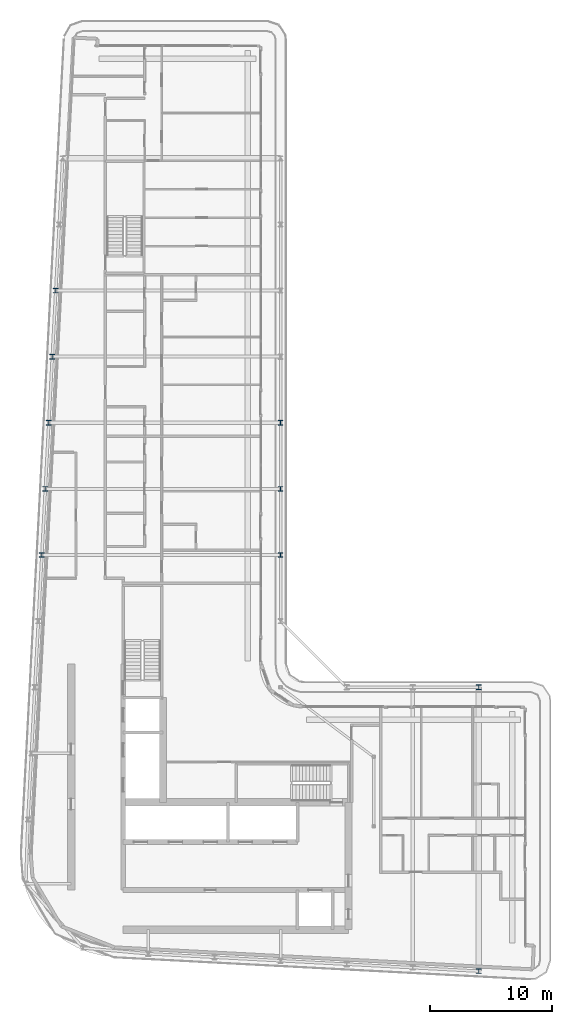
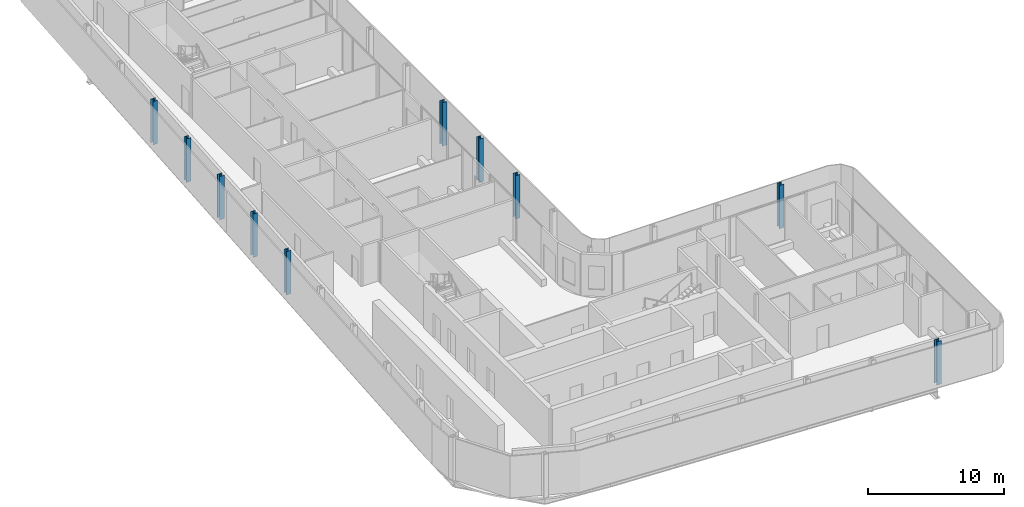
# One storey, part 3 of 21: 10 columns.
"""IFC4 building model written with IfcOpenShell, lengths in metres."""

from ifc_helpers import new_model, si_unit, direction, frame, origin, origin_2d, place, context, subcontext, project, spatial, i_section, extrude, material, material_profile, profile_set, type_object, element, save


model = new_model("IFC4")

# Units and contexts
model_context = context("Model", 3, precision=1e-05, world=origin(), true_north=direction((0.0, 1.0)))
body_context = subcontext(model_context, "Body", "Model", "MODEL_VIEW")
ifc_project = project(units=[si_unit("LENGTHUNIT", "METRE"), si_unit("AREAUNIT", "SQUARE_METRE"), si_unit("VOLUMEUNIT", "CUBIC_METRE"), si_unit("PLANEANGLEUNIT", "RADIAN"), si_unit("MASSUNIT", "GRAM", prefix="KILO")], contexts=[model_context])

# Site, building, storey
site_placement = place(None, origin())
site = spatial("IfcSite", under=ifc_project, at=site_placement, CompositionType="ELEMENT")
building_placement = place(site_placement, origin())
building = spatial("IfcBuilding", under=site, at=building_placement, Name="Kheshtan School and Residences Tower", CompositionType="ELEMENT")
storey_placement = place(building_placement, frame((0.0, 0.0, 298.10009765625)))
storey = spatial("IfcBuildingStorey", under=building, at=storey_placement, Name="L70", CompositionType="ELEMENT", Elevation=298.10009765625)

# Columns
ifc_material = material(Name="Steel ASTM A992 Grade 50", Category="steel")
ifc_material_profile = material_profile(ifc_material, i_section(OverallWidth=0.39501953125, OverallDepth=0.3798828125, WebThickness=0.018798828125, FlangeThickness=0.0302734375, FilletRadius=0.011474609375, at=origin_2d()), Name="W360x237")
ifc_profile_set = profile_set([ifc_material_profile], Name="Steel ASTM A992 Grade 50")
column_type = type_object("IfcColumnType", Name="Column C5 W360x237 ASTM A992 Grade 50", PredefinedType="COLUMN", material=ifc_profile_set)
for number, where, z_axis, x_axis, name in (
    (1, (63.800048828125, 22.410888671875, 0.0), (0.0, 0.0, 1.0), (1.0, 0.0, 0.0), "Column C016"),
    (2, (63.800048828125, 45.60009765625, 0.0), (0.0, 0.0, 1.0), (1.0, 0.0, 0.0), "Column C063"),
    (3, (28.10595703125, 56.39990234375, 0.0), (0.0, 0.0, 1.0), (1.0, 0.0, 0.0), "Column C080"),
    (4, (47.60009765625, 56.39990234375, 0.0), (0.0, 0.0, 1.0), (1.0, 0.0, 0.0), "Column C081"),
    (5, (28.389892578125, 61.800048828125, 0.0), (0.0, 0.0, 1.0), (1.0, 0.0, 0.0), "Column C082"),
    (6, (47.60009765625, 61.800048828125, 0.0), (0.0, 0.0, 1.0), (1.0, 0.0, 0.0), "Column C083"),
    (7, (28.674072265625, 67.199951171875, 0.0), (0.0, 0.0, 1.0), (1.0, 0.0, 0.0), "Column C084"),
    (8, (47.60009765625, 67.199951171875, 0.0), (0.0, 0.0, 1.0), (1.0, 0.0, 0.0), "Column C085"),
    (9, (28.9580078125, 72.60009765625, 0.0), (0.0, 0.0, 1.0), (1.0, 0.0, 0.0), "Column C086"),
    (10, (29.242919921875, 78.0, 0.0), (0.0, 0.0, 1.0), (1.0, 0.0, 0.0), "Column C088"),
):
    element("IfcColumn", number, at=place(storey_placement, frame(where, z_axis=z_axis, x_axis=x_axis)), inside=storey, type_object=column_type, Name=name, PredefinedType="COLUMN", context=body_context, shape_type="SweptSolid", body=[
        extrude(i_section(OverallWidth=0.39501953125, OverallDepth=0.3798828125, WebThickness=0.018798828125, FlangeThickness=0.0302734375, FilletRadius=0.011474609375, at=origin_2d()), origin(), (0.0, 0.0, 1.0), 3.89990234375),
    ])

save(model, "model.ifc")
